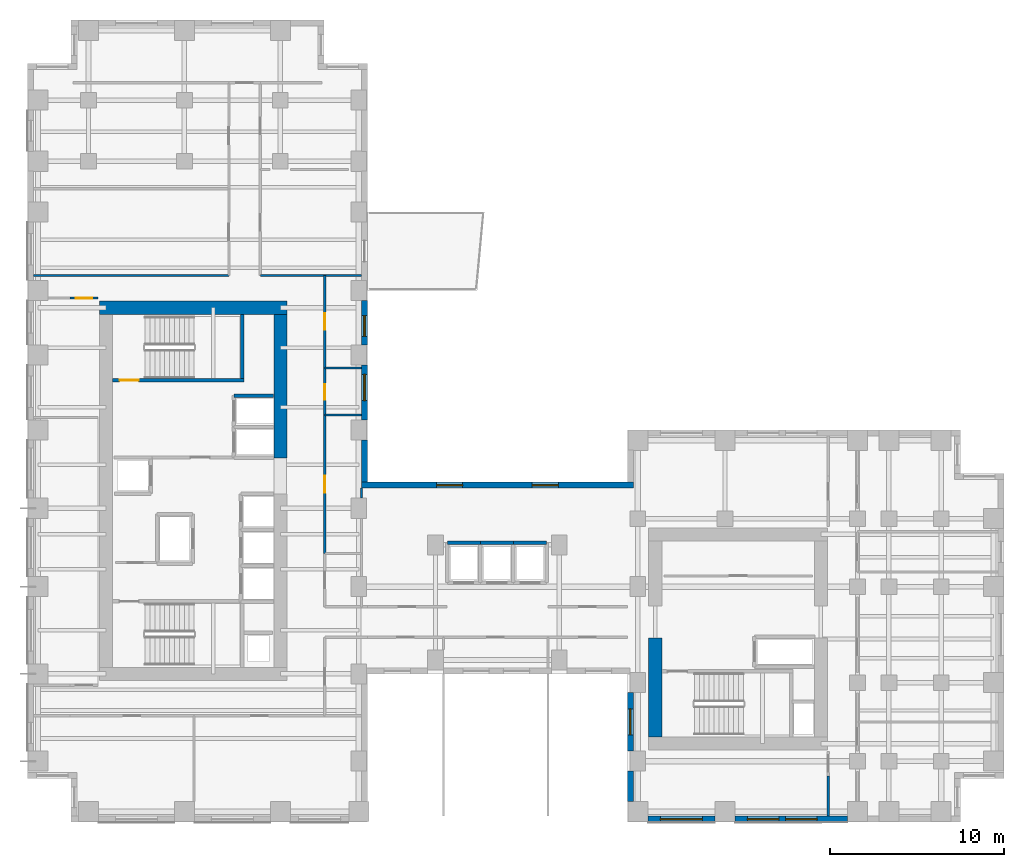
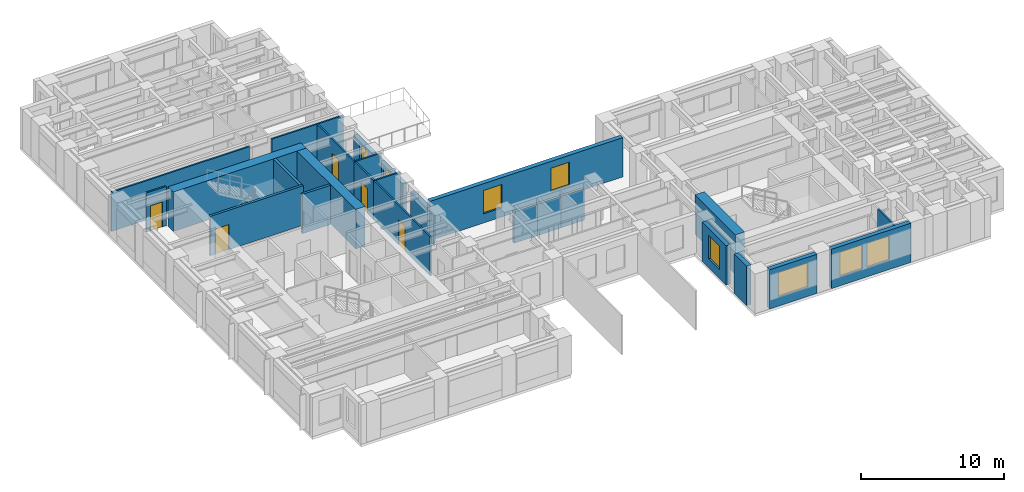
# One storey, part 6 of 11: 27 walls, 8 windows, 5 doors, 13 openings.
"""IFC4 building model written with IfcOpenShell, lengths in metres."""

from ifc_helpers import new_model, si_unit, direction, frame, frame_2d, origin, place, context, subcontext, project, spatial, rectangle, extrude, source, transform, mapped, material, layer, layer_set, type_object, element, fill, save


model = new_model("IFC4")

# Units and contexts
model_context = context("Model", 3, precision=1e-05, world=origin(), true_north=direction((0.0, 1.0)))
body_context = subcontext(model_context, "Body", "Model", "MODEL_VIEW")
ifc_project = project(units=[si_unit("LENGTHUNIT", "METRE"), si_unit("AREAUNIT", "SQUARE_METRE"), si_unit("VOLUMEUNIT", "CUBIC_METRE"), si_unit("PLANEANGLEUNIT", "RADIAN"), si_unit("MASSUNIT", "GRAM", prefix="KILO")], contexts=[model_context])

# Site, building, storey
site_placement = place(None, origin())
site = spatial("IfcSite", under=ifc_project, at=site_placement, CompositionType="ELEMENT")
building_placement = place(site_placement, origin())
building = spatial("IfcBuilding", under=site, at=building_placement, Name="Kharzan Plaza Tower", CompositionType="ELEMENT")
storey_placement = place(building_placement, frame((0.0, 0.0, 113.39990234375)))
storey = spatial("IfcBuildingStorey", under=building, at=storey_placement, Name="L30", CompositionType="ELEMENT", Elevation=113.39990234375)

# Wall, opening, window
ifc_material_1 = material(Name="Concrete C40/50", Category="concrete")
ifc_layer_1 = layer(ifc_material_1, 0.35009765625)
ifc_layer_set_1 = layer_set([ifc_layer_1], Name="Concrete C40/50")
wall_type_1 = type_object("IfcWallType", Name="WL-EXT-MAS-Z2", PredefinedType="SOLIDWALL", material=ifc_layer_set_1)
wall_1_placement = place(storey_placement, frame((19.324951171875, 23.072998046875, 0.0), z_axis=(0.0, 0.0, 1.0), x_axis=(0.0, 1.0, 0.0)))
wall_1 = element("IfcWall", 1, at=wall_1_placement, inside=storey, type_object=wall_type_1, Name="L30 Masonry-Frame Exterior Wall 02", PredefinedType="SOLIDWALL", context=body_context, shape_type="SweptSolid", body=[
    extrude(rectangle(XDim=3.154052734375, YDim=0.35009765625, at=frame_2d((1.5771484375, 0.0))), origin(), (0.0, 0.0, 1.0), 2.51904296875),
])
opening_1_placement = place(wall_1_placement, frame((1.10546875, 0.0, 0.780029296875)))
opening_1 = element("IfcOpeningElement", 2, at=opening_1_placement, cuts=wall_1, Name="Opening W5", PredefinedType="OPENING", context=body_context, shape_type="SweptSolid", body=[
    extrude(rectangle(XDim=1.5, YDim=1.55908203125, at=frame_2d((0.75, 0.779541015625))), frame((0.0, 0.18505859375, 0.0), z_axis=(0.0, -1.0, 0.0), x_axis=(1.0, 0.0, 0.0)), (0.0, 0.0, 1.0), 0.3701171875),
])
ifc_material_2 = material(Name="Low-E Double Glazing", Category="glass")
window_type_1 = type_object("IfcWindowType", Name="WN-SLT-1500x2000", PartitioningType="SINGLE_PANEL", PredefinedType="WINDOW", material=ifc_material_2)
shared_shape_1 = source(origin(), body_context, "Body", "SweptSolid", [
    extrude(rectangle(XDim=1.5, YDim=1.55908203125, at=frame_2d((0.75, 0.779541015625))), frame((0.0, 0.030029296875, 0.0), z_axis=(0.0, -1.0, 0.0), x_axis=(1.0, 0.0, 0.0)), (0.0, 0.0, 1.0), 0.06005859375),
])
window_1_placement = place(opening_1_placement, origin())
window_1 = element("IfcWindow", 3, at=window_1_placement, inside=storey, type_object=window_type_1, Name="L30 Recessed Solar-Control Window 02-1", OverallHeight=1.55908203125, OverallWidth=1.5, PartitioningType="SINGLE_PANEL", PredefinedType="WINDOW", context=body_context, shape_type="MappedRepresentation", body=[
    mapped(shared_shape_1, transform((0.0, 0.0, 0.0), x_axis=(1.0, 0.0, 0.0), y_axis=(0.0, 1.0, 0.0), z_axis=(0.0, 0.0, 1.0))),
])
fill(opening_1, window_1)

wall_2_placement = place(storey_placement, frame((19.324951171875, 27.373046875, 0.0), z_axis=(0.0, 0.0, 1.0), x_axis=(0.0, 1.0, 0.0)))
wall_2 = element("IfcWall", 4, at=wall_2_placement, inside=storey, type_object=wall_type_1, Name="L30 Masonry-Frame Exterior Wall 03", PredefinedType="SOLIDWALL", context=body_context, shape_type="SweptSolid", body=[
    extrude(rectangle(XDim=2.553955078125, YDim=0.35009765625, at=frame_2d((1.27685546875, 0.0))), origin(), (0.0, 0.0, 1.0), 2.51904296875),
])
opening_2_placement = place(wall_2_placement, frame((0.47998046875, 0.0, 0.780029296875)))
opening_2 = element("IfcOpeningElement", 5, at=opening_2_placement, cuts=wall_2, Name="Opening W3", PredefinedType="OPENING", context=body_context, shape_type="SweptSolid", body=[
    extrude(rectangle(XDim=1.199951171875, YDim=1.55908203125, at=frame_2d((0.60009765625, 0.779541015625))), frame((0.0, 0.18505859375, 0.0), z_axis=(0.0, -1.0, 0.0), x_axis=(1.0, 0.0, 0.0)), (0.0, 0.0, 1.0), 0.3701171875),
])
window_type_2 = type_object("IfcWindowType", Name="WN-REC-1200x2100", PartitioningType="SINGLE_PANEL", PredefinedType="WINDOW", material=ifc_material_2)
shared_shape_2 = source(origin(), body_context, "Body", "SweptSolid", [
    extrude(rectangle(XDim=1.199951171875, YDim=1.55908203125, at=frame_2d((0.60009765625, 0.779541015625))), frame((0.0, 0.030029296875, 0.0), z_axis=(0.0, -1.0, 0.0), x_axis=(1.0, 0.0, 0.0)), (0.0, 0.0, 1.0), 0.06005859375),
])
window_2_placement = place(opening_2_placement, origin())
window_2 = element("IfcWindow", 6, at=window_2_placement, inside=storey, type_object=window_type_2, Name="L30 Recessed Solar-Control Window 03-1", OverallHeight=1.55908203125, OverallWidth=1.199951171875, PartitioningType="SINGLE_PANEL", PredefinedType="WINDOW", context=body_context, shape_type="MappedRepresentation", body=[
    mapped(shared_shape_2, transform((0.0, 0.0, 0.0), x_axis=(1.0, 0.0, 0.0), y_axis=(0.0, 1.0, 0.0), z_axis=(0.0, 0.0, 1.0))),
])
fill(opening_2, window_2)

wall_3_placement = place(storey_placement, frame((34.574951171875, 7.427001953125, 0.0), z_axis=(0.0, 0.0, 1.0), x_axis=(0.0, -1.0, 0.0)))
wall_3 = element("IfcWall", 7, at=wall_3_placement, inside=storey, type_object=wall_type_1, Name="L30 Masonry-Frame Exterior Wall 37", PredefinedType="SOLIDWALL", context=body_context, shape_type="SweptSolid", body=[
    extrude(rectangle(XDim=3.35400390625, YDim=0.35009765625, at=frame_2d((1.677001953125, 0.0))), origin(), (0.0, 0.0, 1.0), 3.364990234375),
])
opening_3_placement = place(wall_3_placement, frame((0.927001953125, 0.0, 0.780029296875)))
opening_3 = element("IfcOpeningElement", 8, at=opening_3_placement, cuts=wall_3, Name="Opening W5", PredefinedType="OPENING", context=body_context, shape_type="SweptSolid", body=[
    extrude(rectangle(XDim=1.5, YDim=2.0, at=frame_2d((0.75, 1.0))), frame((0.0, 0.18505859375, 0.0), z_axis=(0.0, -1.0, 0.0), x_axis=(1.0, 0.0, 0.0)), (0.0, 0.0, 1.0), 0.3701171875),
])
shared_shape_3 = source(origin(), body_context, "Body", "SweptSolid", [
    extrude(rectangle(XDim=1.5, YDim=2.0, at=frame_2d((0.75, 1.0))), frame((0.0, 0.030029296875, 0.0), z_axis=(0.0, -1.0, 0.0), x_axis=(1.0, 0.0, 0.0)), (0.0, 0.0, 1.0), 0.06005859375),
])
window_3_placement = place(opening_3_placement, origin())
window_3 = element("IfcWindow", 9, at=window_3_placement, inside=storey, type_object=window_type_1, Name="L30 Recessed Solar-Control Window 37-1", OverallHeight=2.0, OverallWidth=1.5, PartitioningType="SINGLE_PANEL", PredefinedType="WINDOW", context=body_context, shape_type="MappedRepresentation", body=[
    mapped(shared_shape_3, transform((0.0, 0.0, 0.0), x_axis=(1.0, 0.0, 0.0), y_axis=(0.0, 1.0, 0.0), z_axis=(0.0, 0.0, 1.0))),
])
fill(opening_3, window_3)

wall_4_placement = place(storey_placement, frame((35.572998046875, 0.175048828125, 0.0), z_axis=(0.0, 0.0, 1.0), x_axis=(1.0, 0.0, 0.0)))
wall_4 = element("IfcWall", 10, at=wall_4_placement, inside=storey, type_object=wall_type_1, Name="L30 Masonry-Frame Exterior Wall 39", PredefinedType="SOLIDWALL", context=body_context, shape_type="SweptSolid", body=[
    extrude(rectangle(XDim=3.85400390625, YDim=0.35009765625, at=frame_2d((1.927001953125, 0.0))), origin(), (0.0, 0.0, 1.0), 3.364990234375),
])
opening_4_placement = place(wall_4_placement, frame((0.72705078125, 0.0, 0.780029296875)))
opening_4 = element("IfcOpeningElement", 11, at=opening_4_placement, cuts=wall_4, Name="Opening W2", PredefinedType="OPENING", context=body_context, shape_type="SweptSolid", body=[
    extrude(rectangle(XDim=2.39990234375, YDim=2.10009765625, at=frame_2d((1.199951171875, 1.050048828125))), frame((0.0, 0.18505859375, 0.0), z_axis=(0.0, -1.0, 0.0), x_axis=(1.0, 0.0, 0.0)), (0.0, 0.0, 1.0), 0.3701171875),
])
window_type_3 = type_object("IfcWindowType", Name="WN-REC-2400x2100", PartitioningType="SINGLE_PANEL", PredefinedType="WINDOW", material=ifc_material_2)
shared_shape_4 = source(origin(), body_context, "Body", "SweptSolid", [
    extrude(rectangle(XDim=2.39990234375, YDim=2.10009765625, at=frame_2d((1.199951171875, 1.050048828125))), frame((0.0, 0.030029296875, 0.0), z_axis=(0.0, -1.0, 0.0), x_axis=(1.0, 0.0, 0.0)), (0.0, 0.0, 1.0), 0.06005859375),
])
window_4_placement = place(opening_4_placement, origin())
window_4 = element("IfcWindow", 12, at=window_4_placement, inside=storey, type_object=window_type_3, Name="L30 Wide Recessed Solar-Control Window 39-1", OverallHeight=2.10009765625, OverallWidth=2.39990234375, PartitioningType="SINGLE_PANEL", PredefinedType="WINDOW", context=body_context, shape_type="MappedRepresentation", body=[
    mapped(shared_shape_4, transform((0.0, 0.0, 0.0), x_axis=(1.0, 0.0, 0.0), y_axis=(0.0, 1.0, 0.0), z_axis=(0.0, 0.0, 1.0))),
])
fill(opening_4, window_4)

# Wall, openings, windows
wall_5_placement = place(storey_placement, frame((40.572998046875, 0.175048828125, 0.0), z_axis=(0.0, 0.0, 1.0), x_axis=(1.0, 0.0, 0.0)))
wall_5 = element("IfcWall", 13, at=wall_5_placement, inside=storey, type_object=wall_type_1, Name="L30 Masonry-Frame Exterior Wall 40", PredefinedType="SOLIDWALL", context=body_context, shape_type="SweptSolid", body=[
    extrude(rectangle(XDim=6.4541015625, YDim=0.35009765625, at=frame_2d((3.22705078125, 0.0))), origin(), (0.0, 0.0, 1.0), 3.364990234375),
])
opening_5_placement = place(wall_5_placement, frame((0.71240234375, 0.0, 0.780029296875)))
opening_5 = element("IfcOpeningElement", 14, at=opening_5_placement, cuts=wall_5, Name="Opening W1", PredefinedType="OPENING", context=body_context, shape_type="SweptSolid", body=[
    extrude(rectangle(XDim=1.800048828125, YDim=2.10009765625, at=frame_2d((0.89990234375, 1.050048828125))), frame((0.0, 0.18505859375, 0.0), z_axis=(0.0, -1.0, 0.0), x_axis=(1.0, 0.0, 0.0)), (0.0, 0.0, 1.0), 0.3701171875),
])
opening_6_placement = place(wall_5_placement, frame((2.90478515625, 0.0, 0.780029296875)))
opening_6 = element("IfcOpeningElement", 15, at=opening_6_placement, cuts=wall_5, Name="Opening W1", PredefinedType="OPENING", context=body_context, shape_type="SweptSolid", body=[
    extrude(rectangle(XDim=1.800048828125, YDim=2.10009765625, at=frame_2d((0.89990234375, 1.050048828125))), frame((0.0, 0.18505859375, 0.0), z_axis=(0.0, -1.0, 0.0), x_axis=(1.0, 0.0, 0.0)), (0.0, 0.0, 1.0), 0.3701171875),
])
window_type_4 = type_object("IfcWindowType", Name="WN-REC-1800x2100", PartitioningType="SINGLE_PANEL", PredefinedType="WINDOW", material=ifc_material_2)
shared_shape_5 = source(origin(), body_context, "Body", "SweptSolid", [
    extrude(rectangle(XDim=1.800048828125, YDim=2.10009765625, at=frame_2d((0.89990234375, 1.050048828125))), frame((0.0, 0.030029296875, 0.0), z_axis=(0.0, -1.0, 0.0), x_axis=(1.0, 0.0, 0.0)), (0.0, 0.0, 1.0), 0.06005859375),
])
window_5_placement = place(opening_5_placement, origin())
window_5 = element("IfcWindow", 16, at=window_5_placement, inside=storey, type_object=window_type_4, Name="L30 Recessed Solar-Control Window 40-1", OverallHeight=2.10009765625, OverallWidth=1.800048828125, PartitioningType="SINGLE_PANEL", PredefinedType="WINDOW", context=body_context, shape_type="MappedRepresentation", body=[
    mapped(shared_shape_5, transform((0.0, 0.0, 0.0), x_axis=(1.0, 0.0, 0.0), y_axis=(0.0, 1.0, 0.0), z_axis=(0.0, 0.0, 1.0))),
])
fill(opening_5, window_5)
window_6_placement = place(opening_6_placement, origin())
window_6 = element("IfcWindow", 17, at=window_6_placement, inside=storey, type_object=window_type_4, Name="L30 Recessed Solar-Control Window 40-2", OverallHeight=2.10009765625, OverallWidth=1.800048828125, PartitioningType="SINGLE_PANEL", PredefinedType="WINDOW", context=body_context, shape_type="MappedRepresentation", body=[
    mapped(shared_shape_5, transform((0.0, 0.0, 0.0), x_axis=(1.0, 0.0, 0.0), y_axis=(0.0, 1.0, 0.0), z_axis=(0.0, 0.0, 1.0))),
])
fill(opening_6, window_6)

wall_6_placement = place(storey_placement, frame((34.75, 19.324951171875, 0.0), z_axis=(0.0, 0.0, 1.0), x_axis=(-1.0, 0.0, 0.0)))
wall_6 = element("IfcWall", 18, at=wall_6_placement, inside=storey, type_object=wall_type_1, Name="L30 Masonry-Frame Exterior Wall 58", PredefinedType="SOLIDWALL", context=body_context, shape_type="SweptSolid", body=[
    extrude(rectangle(XDim=15.60009765625, YDim=0.35009765625, at=frame_2d((7.800048828125, 0.0))), origin(), (0.0, 0.0, 1.0), 3.364990234375),
])
opening_7_placement = place(wall_6_placement, frame((4.306640625, 0.0, 0.780029296875)))
opening_7 = element("IfcOpeningElement", 19, at=opening_7_placement, cuts=wall_6, Name="Opening W5", PredefinedType="OPENING", context=body_context, shape_type="SweptSolid", body=[
    extrude(rectangle(XDim=1.5, YDim=2.0, at=frame_2d((0.75, 1.0))), frame((0.0, 0.18505859375, 0.0), z_axis=(0.0, -1.0, 0.0), x_axis=(1.0, 0.0, 0.0)), (0.0, 0.0, 1.0), 0.3701171875),
])
opening_8_placement = place(wall_6_placement, frame((9.793212890625, 0.0, 0.780029296875)))
opening_8 = element("IfcOpeningElement", 20, at=opening_8_placement, cuts=wall_6, Name="Opening W5", PredefinedType="OPENING", context=body_context, shape_type="SweptSolid", body=[
    extrude(rectangle(XDim=1.5, YDim=2.0, at=frame_2d((0.75, 1.0))), frame((0.0, 0.18505859375, 0.0), z_axis=(0.0, -1.0, 0.0), x_axis=(1.0, 0.0, 0.0)), (0.0, 0.0, 1.0), 0.3701171875),
])
window_7_placement = place(opening_7_placement, origin())
window_7 = element("IfcWindow", 21, at=window_7_placement, inside=storey, type_object=window_type_1, Name="L30 Recessed Solar-Control Window 58-1", OverallHeight=2.0, OverallWidth=1.5, PartitioningType="SINGLE_PANEL", PredefinedType="WINDOW", context=body_context, shape_type="MappedRepresentation", body=[
    mapped(shared_shape_3, transform((0.0, 0.0, 0.0), x_axis=(1.0, 0.0, 0.0), y_axis=(0.0, 1.0, 0.0), z_axis=(0.0, 0.0, 1.0))),
])
fill(opening_7, window_7)
window_8_placement = place(opening_8_placement, origin())
window_8 = element("IfcWindow", 22, at=window_8_placement, inside=storey, type_object=window_type_1, Name="L30 Recessed Solar-Control Window 58-2", OverallHeight=2.0, OverallWidth=1.5, PartitioningType="SINGLE_PANEL", PredefinedType="WINDOW", context=body_context, shape_type="MappedRepresentation", body=[
    mapped(shared_shape_3, transform((0.0, 0.0, 0.0), x_axis=(1.0, 0.0, 0.0), y_axis=(0.0, 1.0, 0.0), z_axis=(0.0, 0.0, 1.0))),
])
fill(opening_8, window_8)

# Wall, opening, door
ifc_material_3 = material(Name="Fire-Rated Gypsum Board Partition", Category="gypsum")
ifc_layer_2 = layer(ifc_material_3, 0.125)
ifc_layer_set_2 = layer_set([ifc_layer_2], Name="Fire-Rated Gypsum Board Partition")
wall_type_2 = type_object("IfcWallType", Name="WL-INT-PART-125", PredefinedType="PARTITIONING", material=ifc_layer_set_2)
wall_7_placement = place(storey_placement, frame((17.050048828125, 15.39990234375, 0.0), z_axis=(0.0, 0.0, 1.0), x_axis=(0.0, 1.0, 0.0)))
wall_7 = element("IfcWall", 23, at=wall_7_placement, inside=storey, type_object=wall_type_2, Name="L30 Interior Partition SH-AEWN2", PredefinedType="PARTITIONING", context=body_context, shape_type="SweptSolid", body=[
    extrude(rectangle(XDim=7.9501953125, YDim=0.125, at=frame_2d((3.97509765625, 0.0))), origin(), (0.0, 0.0, 1.0), 3.364990234375),
])
opening_9_placement = place(wall_7_placement, frame((3.5, 0.0, 0.0)))
opening_9 = element("IfcOpeningElement", 24, at=opening_9_placement, cuts=wall_7, Name="Opening OD1", PredefinedType="OPENING", context=body_context, shape_type="SweptSolid", body=[
    extrude(rectangle(XDim=0.949951171875, YDim=2.14990234375, at=frame_2d((0.47509765625, 1.074951171875))), frame((0.0, 0.072509765625, 0.0), z_axis=(0.0, -1.0, 0.0), x_axis=(1.0, 0.0, 0.0)), (0.0, 0.0, 1.0), 0.14501953125),
])
ifc_material_4 = material(Name="Acoustic Solid-Core Stained Oak", Category="timber")
door_type_1 = type_object("IfcDoorType", Name="DR-OFF-SINGLE", OperationType="NOTDEFINED", PredefinedType="DOOR", material=ifc_material_4)
shared_shape_6 = source(origin(), body_context, "Body", "SweptSolid", [
    extrude(rectangle(XDim=0.949951171875, YDim=2.14990234375, at=frame_2d((0.47509765625, 1.074951171875))), frame((0.0, 0.02490234375, 0.0), z_axis=(0.0, -1.0, 0.0), x_axis=(1.0, 0.0, 0.0)), (0.0, 0.0, 1.0), 0.050048828125),
])
door_1_placement = place(opening_9_placement, origin())
door_1 = element("IfcDoor", 25, at=door_1_placement, inside=storey, type_object=door_type_1, Name="L30 Slot Studio Door", OperationType="SINGLE_SWING_RIGHT", OverallHeight=2.14990234375, OverallWidth=0.949951171875, PredefinedType="DOOR", context=body_context, shape_type="MappedRepresentation", body=[
    mapped(shared_shape_6, transform((0.0, 0.0, 0.0), x_axis=(1.0, 0.0, 0.0), y_axis=(0.0, 1.0, 0.0), z_axis=(0.0, 0.0, 1.0))),
])
fill(opening_9, door_1)

wall_8_placement = place(storey_placement, frame((17.050048828125, 26.050048828125, 0.0), z_axis=(0.0, 0.0, 1.0), x_axis=(0.0, 1.0, 0.0)))
wall_8 = element("IfcWall", 26, at=wall_8_placement, inside=storey, type_object=wall_type_2, Name="L30 Interior Partition SH-AEWN3", PredefinedType="PARTITIONING", context=body_context, shape_type="SweptSolid", body=[
    extrude(rectangle(XDim=5.300048828125, YDim=0.125, at=frame_2d((2.64990234375, 0.0))), origin(), (0.0, 0.0, 1.0), 3.364990234375),
])
opening_10_placement = place(wall_8_placement, frame((2.175048828125, 0.0, 0.0)))
opening_10 = element("IfcOpeningElement", 27, at=opening_10_placement, cuts=wall_8, Name="Opening OD1", PredefinedType="OPENING", context=body_context, shape_type="SweptSolid", body=[
    extrude(rectangle(XDim=0.949951171875, YDim=2.14990234375, at=frame_2d((0.47509765625, 1.074951171875))), frame((0.0, 0.072509765625, 0.0), z_axis=(0.0, -1.0, 0.0), x_axis=(1.0, 0.0, 0.0)), (0.0, 0.0, 1.0), 0.14501953125),
])
door_2_placement = place(opening_10_placement, origin())
door_2 = element("IfcDoor", 28, at=door_2_placement, inside=storey, type_object=door_type_1, Name="L30 Staff Tea Point Door", OperationType="SINGLE_SWING_RIGHT", OverallHeight=2.14990234375, OverallWidth=0.949951171875, PredefinedType="DOOR", context=body_context, shape_type="MappedRepresentation", body=[
    mapped(shared_shape_6, transform((0.0, 0.0, 0.0), x_axis=(1.0, 0.0, 0.0), y_axis=(0.0, 1.0, 0.0), z_axis=(0.0, 0.0, 1.0))),
])
fill(opening_10, door_2)

wall_9_placement = place(storey_placement, frame((17.050048828125, 23.35009765625, 0.0), z_axis=(0.0, 0.0, 1.0), x_axis=(0.0, 1.0, 0.0)))
wall_9 = element("IfcWall", 29, at=wall_9_placement, inside=storey, type_object=wall_type_2, Name="L30 Interior Partition SH-AEWW", PredefinedType="PARTITIONING", context=body_context, shape_type="SweptSolid", body=[
    extrude(rectangle(XDim=2.699951171875, YDim=0.125, at=frame_2d((1.35009765625, 0.0))), origin(), (0.0, 0.0, 1.0), 3.364990234375),
])
opening_11_placement = place(wall_9_placement, frame((0.875, 0.0, 0.0)))
opening_11 = element("IfcOpeningElement", 30, at=opening_11_placement, cuts=wall_9, Name="Opening WD1", PredefinedType="OPENING", context=body_context, shape_type="SweptSolid", body=[
    extrude(rectangle(XDim=0.89990234375, YDim=2.14990234375, at=frame_2d((0.449951171875, 1.074951171875))), frame((0.0, 0.072509765625, 0.0), z_axis=(0.0, -1.0, 0.0), x_axis=(1.0, 0.0, 0.0)), (0.0, 0.0, 1.0), 0.14501953125),
])
ifc_material_5 = material(Name="Moisture-Resistant Fire-Rated Laminate", Category="timber")
door_type_2 = type_object("IfcDoorType", Name="DR-WC-900", OperationType="NOTDEFINED", PredefinedType="DOOR", material=ifc_material_5)
shared_shape_7 = source(origin(), body_context, "Body", "SweptSolid", [
    extrude(rectangle(XDim=0.89990234375, YDim=2.14990234375, at=frame_2d((0.449951171875, 1.074951171875))), frame((0.0, 0.02490234375, 0.0), z_axis=(0.0, -1.0, 0.0), x_axis=(1.0, 0.0, 0.0)), (0.0, 0.0, 1.0), 0.050048828125),
])
door_3_placement = place(opening_11_placement, origin())
door_3 = element("IfcDoor", 31, at=door_3_placement, inside=storey, type_object=door_type_2, Name="L30 Wing A Washroom Door", OperationType="SINGLE_SWING_LEFT", OverallHeight=2.14990234375, OverallWidth=0.89990234375, PredefinedType="DOOR", context=body_context, shape_type="MappedRepresentation", body=[
    mapped(shared_shape_7, transform((0.0, 0.0, 0.0), x_axis=(1.0, 0.0, 0.0), y_axis=(0.0, 1.0, 0.0), z_axis=(0.0, 0.0, 1.0))),
])
fill(opening_11, door_3)

wall_10_placement = place(storey_placement, frame((2.449951171875, 30.050048828125, 0.0), z_axis=(0.0, 0.0, 1.0), x_axis=(1.0, 0.0, 0.0)))
wall_10 = element("IfcWall", 32, at=wall_10_placement, inside=storey, type_object=wall_type_2, Name="L30 Interior Partition SH-RWND", PredefinedType="PARTITIONING", context=body_context, shape_type="SweptSolid", body=[
    extrude(rectangle(XDim=1.60009765625, YDim=0.125, at=frame_2d((0.800048828125, 0.0))), origin(), (0.0, 0.0, 1.0), 3.364990234375),
])
opening_12_placement = place(wall_10_placement, frame((0.324951171875, 0.0, 0.0)))
opening_12 = element("IfcOpeningElement", 33, at=opening_12_placement, cuts=wall_10, Name="Opening OD1", PredefinedType="OPENING", context=body_context, shape_type="SweptSolid", body=[
    extrude(rectangle(XDim=0.949951171875, YDim=2.14990234375, at=frame_2d((0.47509765625, 1.074951171875))), frame((0.0, 0.072509765625, 0.0), z_axis=(0.0, -1.0, 0.0), x_axis=(1.0, 0.0, 0.0)), (0.0, 0.0, 1.0), 0.14501953125),
])
door_4_placement = place(opening_12_placement, origin())
door_4 = element("IfcDoor", 34, at=door_4_placement, inside=storey, type_object=door_type_1, Name="L30 West Office 2 Door", OperationType="SINGLE_SWING_RIGHT", OverallHeight=2.14990234375, OverallWidth=0.949951171875, PredefinedType="DOOR", context=body_context, shape_type="MappedRepresentation", body=[
    mapped(shared_shape_6, transform((0.0, 0.0, 0.0), x_axis=(1.0, 0.0, 0.0), y_axis=(0.0, 1.0, 0.0), z_axis=(0.0, 0.0, 1.0))),
])
fill(opening_12, door_4)

ifc_material_6 = material(Name="Concrete C50/60", Category="concrete")
ifc_layer_3 = layer(ifc_material_6, 0.199951171875)
ifc_layer_set_3 = layer_set([ifc_layer_3], Name="Concrete C50/60")
wall_type_3 = type_object("IfcWallType", Name="WL-SHAFT-RC200", PredefinedType="SHEAR", material=ifc_layer_set_3)
wall_11_placement = place(storey_placement, frame((4.876953125, 25.344970703125, 0.0), z_axis=(0.0, 0.0, 1.0), x_axis=(1.0, 0.0, 0.0)))
wall_11 = element("IfcWall", 35, at=wall_11_placement, inside=storey, type_object=wall_type_3, Name="L30 Stair ST-2 South RC Shaft Wall", PredefinedType="SHEAR", context=body_context, shape_type="SweptSolid", body=[
    extrude(rectangle(XDim=7.528076171875, YDim=0.199951171875, at=frame_2d((3.76416015625, 0.0))), origin(), (0.0, 0.0, 1.0), 3.380126953125),
])
opening_13_placement = place(wall_11_placement, frame((0.39990234375, 0.0, 0.0)))
opening_13 = element("IfcOpeningElement", 36, at=opening_13_placement, cuts=wall_11, Name="Opening SD1", PredefinedType="OPENING", context=body_context, shape_type="SweptSolid", body=[
    extrude(rectangle(XDim=1.10009765625, YDim=2.14990234375, at=frame_2d((0.550048828125, 1.074951171875))), frame((0.0, 0.10986328125, 0.0), z_axis=(0.0, -1.0, 0.0), x_axis=(1.0, 0.0, 0.0)), (0.0, 0.0, 1.0), 0.219970703125),
])
ifc_material_7 = material(Name="Fire-Rated Hollow Galvanized Steel", Category="steel")
door_type_3 = type_object("IfcDoorType", Name="DR-STAIR-FD120", OperationType="NOTDEFINED", PredefinedType="DOOR", material=ifc_material_7)
shared_shape_8 = source(origin(), body_context, "Body", "SweptSolid", [
    extrude(rectangle(XDim=1.10009765625, YDim=2.14990234375, at=frame_2d((0.550048828125, 1.074951171875))), frame((0.0, 0.02490234375, 0.0), z_axis=(0.0, -1.0, 0.0), x_axis=(1.0, 0.0, 0.0)), (0.0, 0.0, 1.0), 0.050048828125),
])
door_5_placement = place(opening_13_placement, origin())
door_5 = element("IfcDoor", 37, at=door_5_placement, inside=storey, type_object=door_type_3, Name="L30 Stair ST-2 Fire Exit Door", OperationType="SINGLE_SWING_RIGHT", OverallHeight=2.14990234375, OverallWidth=1.10009765625, PredefinedType="DOOR", context=body_context, shape_type="MappedRepresentation", body=[
    mapped(shared_shape_8, transform((0.0, 0.0, 0.0), x_axis=(1.0, 0.0, 0.0), y_axis=(0.0, 1.0, 0.0), z_axis=(0.0, 0.0, 1.0))),
])
fill(opening_13, door_5)

# Walls
shared_shape_9 = source(origin(), body_context, "Body", "SweptSolid", [
    extrude(rectangle(XDim=2.2978515625, YDim=0.125, at=frame_2d((1.14892578125, 0.0))), origin(), (0.0, 0.0, 1.0), 3.364990234375),
])
wall_12_placement = place(storey_placement, frame((45.919921875, 0.35205078125, 0.0), z_axis=(0.0, 0.0, 1.0), x_axis=(0.0, 1.0, 0.0)))
element("IfcWall", 38, at=wall_12_placement, inside=storey, type_object=wall_type_2, Name="L30 Interior Partition SH-RBSE0", PredefinedType="PARTITIONING", context=body_context, shape_type="MappedRepresentation", body=[
    mapped(shared_shape_9, transform((0.0, 0.0, 0.0), x_axis=(1.0, 0.0, 0.0), y_axis=(0.0, 1.0, 0.0), z_axis=(0.0, 0.0, 1.0))),
])
shared_shape_10 = source(origin(), body_context, "Body", "SweptSolid", [
    extrude(rectangle(XDim=2.097900390625, YDim=0.125, at=frame_2d((1.048828125, 0.0))), origin(), (0.0, 0.0, 1.0), 3.364990234375),
])
for number, where, z_axis, x_axis, name in (
    (39, (17.050048828125, 23.35009765625, 0.0), (0.0, 0.0, 1.0), (1.0, 0.0, 0.0), "L30 Interior Partition SH-AEH-233"),
    (40, (17.050048828125, 26.050048828125, 0.0), (0.0, 0.0, 1.0), (1.0, 0.0, 0.0), "L30 Interior Partition SH-AEH-260"),
):
    element("IfcWall", number, at=place(storey_placement, frame(where, z_axis=z_axis, x_axis=x_axis)), inside=storey, type_object=wall_type_2, Name=name, PredefinedType="PARTITIONING", context=body_context, shape_type="MappedRepresentation", body=[
        mapped(shared_shape_10, transform((0.0, 0.0, 0.0), x_axis=(1.0, 0.0, 0.0), y_axis=(0.0, 1.0, 0.0), z_axis=(0.0, 0.0, 1.0))),
    ])
shared_shape_11 = source(origin(), body_context, "Body", "SweptSolid", [
    extrude(rectangle(XDim=5.7978515625, YDim=0.125, at=frame_2d((2.89892578125, 0.0))), origin(), (0.0, 0.0, 1.0), 3.364990234375),
])
wall_13_placement = place(storey_placement, frame((13.35009765625, 31.35009765625, 0.0), z_axis=(0.0, 0.0, 1.0), x_axis=(1.0, 0.0, 0.0)))
element("IfcWall", 41, at=wall_13_placement, inside=storey, type_object=wall_type_2, Name="L30 Interior Partition SH-NNE", PredefinedType="PARTITIONING", context=body_context, shape_type="MappedRepresentation", body=[
    mapped(shared_shape_11, transform((0.0, 0.0, 0.0), x_axis=(1.0, 0.0, 0.0), y_axis=(0.0, 1.0, 0.0), z_axis=(0.0, 0.0, 1.0))),
])
shared_shape_12 = source(origin(), body_context, "Body", "SweptSolid", [
    extrude(rectangle(XDim=11.197998046875, YDim=0.125, at=frame_2d((5.59912109375, 0.0))), origin(), (0.0, 0.0, 1.0), 3.364990234375),
])
wall_14_placement = place(storey_placement, frame((0.35205078125, 31.35009765625, 0.0), z_axis=(0.0, 0.0, 1.0), x_axis=(1.0, 0.0, 0.0)))
element("IfcWall", 42, at=wall_14_placement, inside=storey, type_object=wall_type_2, Name="L30 Interior Partition SH-NNW", PredefinedType="PARTITIONING", context=body_context, shape_type="MappedRepresentation", body=[
    mapped(shared_shape_12, transform((0.0, 0.0, 0.0), x_axis=(1.0, 0.0, 0.0), y_axis=(0.0, 1.0, 0.0), z_axis=(0.0, 0.0, 1.0))),
])
ifc_material_8 = material(Name="Concrete C60/75", Category="concrete")
ifc_layer_4 = layer(ifc_material_8, 0.75)
ifc_layer_set_4 = layer_set([ifc_layer_4], Name="Concrete C60/75")
wall_type_4 = type_object("IfcWallType", Name="WL-CORE-750", PredefinedType="SHEAR", material=ifc_layer_set_4)
shared_shape_13 = source(origin(), body_context, "Body", "SweptSolid", [
    extrude(rectangle(XDim=8.2451171875, YDim=0.75, at=frame_2d((4.12255859375, 0.0))), origin(), (0.0, 0.0, 1.0), 3.380126953125),
])
wall_15_placement = place(storey_placement, frame((14.5, 20.8798828125, 0.0), z_axis=(0.0, 0.0, 1.0), x_axis=(0.0, 1.0, 0.0)))
element("IfcWall", 43, at=wall_15_placement, inside=storey, type_object=wall_type_4, Name="L30 CORE-A east shear pier 2", PredefinedType="SHEAR", context=body_context, shape_type="MappedRepresentation", body=[
    mapped(shared_shape_13, transform((0.0, 0.0, 0.0), x_axis=(1.0, 0.0, 0.0), y_axis=(0.0, 1.0, 0.0), z_axis=(0.0, 0.0, 1.0))),
])
shared_shape_14 = source(origin(), body_context, "Body", "SweptSolid", [
    extrude(rectangle(XDim=10.75, YDim=0.75, at=frame_2d((5.375, 0.0))), origin(), (0.0, 0.0, 1.0), 3.380126953125),
])
wall_16_placement = place(storey_placement, frame((4.125, 29.5, 0.0), z_axis=(0.0, 0.0, 1.0), x_axis=(1.0, 0.0, 0.0)))
element("IfcWall", 44, at=wall_16_placement, inside=storey, type_object=wall_type_4, Name="L30 CORE-A north RC shear wall", PredefinedType="SHEAR", context=body_context, shape_type="MappedRepresentation", body=[
    mapped(shared_shape_14, transform((0.0, 0.0, 0.0), x_axis=(1.0, 0.0, 0.0), y_axis=(0.0, 1.0, 0.0), z_axis=(0.0, 0.0, 1.0))),
])
shared_shape_15 = source(origin(), body_context, "Body", "SweptSolid", [
    extrude(rectangle(XDim=5.675048828125, YDim=0.75, at=frame_2d((2.83740234375, 0.0))), origin(), (0.0, 0.0, 1.0), 3.380126953125),
])
wall_17_placement = place(storey_placement, frame((36.0, 4.875, 0.0), z_axis=(0.0, 0.0, 1.0), x_axis=(0.0, 1.0, 0.0)))
element("IfcWall", 45, at=wall_17_placement, inside=storey, type_object=wall_type_4, Name="L30 CORE-B west shear pier 1", PredefinedType="SHEAR", context=body_context, shape_type="MappedRepresentation", body=[
    mapped(shared_shape_15, transform((0.0, 0.0, 0.0), x_axis=(1.0, 0.0, 0.0), y_axis=(0.0, 1.0, 0.0), z_axis=(0.0, 0.0, 1.0))),
])
shared_shape_16 = source(origin(), body_context, "Body", "SweptSolid", [
    extrude(rectangle(XDim=1.75390625, YDim=0.35009765625, at=frame_2d((0.876953125, 0.0))), origin(), (0.0, 0.0, 1.0), 3.364990234375),
])
wall_18_placement = place(storey_placement, frame((34.574951171875, 2.927001953125, 0.0), z_axis=(0.0, 0.0, 1.0), x_axis=(0.0, -1.0, 0.0)))
element("IfcWall", 46, at=wall_18_placement, inside=storey, type_object=wall_type_1, Name="L30 Masonry-Frame Exterior Wall 38", PredefinedType="SOLIDWALL", context=body_context, shape_type="MappedRepresentation", body=[
    mapped(shared_shape_16, transform((0.0, 0.0, 0.0), x_axis=(1.0, 0.0, 0.0), y_axis=(0.0, 1.0, 0.0), z_axis=(0.0, 0.0, 1.0))),
])
ifc_layer_5 = layer(ifc_material_1, 0.199951171875)
ifc_layer_set_5 = layer_set([ifc_layer_5], Name="Concrete C40/50")
wall_type_5 = type_object("IfcWallType", Name="WL-INT-SHAFT-200", PredefinedType="PARTITIONING", material=ifc_layer_set_5)
shared_shape_17 = source(origin(), body_context, "Body", "SweptSolid", [
    extrude(rectangle(XDim=2.264892578125, YDim=0.199951171875, at=frame_2d((1.13232421875, 0.0))), origin(), (0.0, 0.0, 1.0), 3.364990234375),
])
wall_19_placement = place(storey_placement, frame((11.830078125, 24.4599609375, 0.0), z_axis=(0.0, 0.0, 1.0), x_axis=(1.0, 0.0, 0.0)))
element("IfcWall", 47, at=wall_19_placement, inside=storey, type_object=wall_type_5, Name="L30 Interior Partition SHF-FFL-2-N", PredefinedType="PARTITIONING", context=body_context, shape_type="MappedRepresentation", body=[
    mapped(shared_shape_17, transform((0.0, 0.0, 0.0), x_axis=(1.0, 0.0, 0.0), y_axis=(0.0, 1.0, 0.0), z_axis=(0.0, 0.0, 1.0))),
])
shared_shape_18 = source(origin(), body_context, "Body", "SweptSolid", [
    extrude(rectangle(XDim=1.889892578125, YDim=0.199951171875, at=frame_2d((0.94482421875, 0.0))), origin(), (0.0, 0.0, 1.0), 2.677001953125),
])
wall_20_placement = place(storey_placement, frame((24.080078125, 16.02001953125, 0.0), z_axis=(0.0, 0.0, 1.0), x_axis=(1.0, 0.0, 0.0)))
element("IfcWall", 48, at=wall_20_placement, inside=storey, type_object=wall_type_5, Name="L30 Interior Partition SHF-PL-M1-N", PredefinedType="PARTITIONING", context=body_context, shape_type="MappedRepresentation", body=[
    mapped(shared_shape_18, transform((0.0, 0.0, 0.0), x_axis=(1.0, 0.0, 0.0), y_axis=(0.0, 1.0, 0.0), z_axis=(0.0, 0.0, 1.0))),
])
shared_shape_19 = source(origin(), body_context, "Body", "SweptSolid", [
    extrude(rectangle(XDim=1.89013671875, YDim=0.199951171875, at=frame_2d((0.945068359375, 0.0))), origin(), (0.0, 0.0, 1.0), 2.677001953125),
])
for number, where, z_axis, x_axis, name in (
    (49, (25.97998046875, 16.02001953125, 0.0), (0.0, 0.0, 1.0), (1.0, 0.0, 0.0), "L30 Interior Partition SHF-PL-M2-N"),
    (50, (27.8798828125, 16.02001953125, 0.0), (0.0, 0.0, 1.0), (1.0, 0.0, 0.0), "L30 Interior Partition SHF-PL-M3-N"),
):
    element("IfcWall", number, at=place(storey_placement, frame(where, z_axis=z_axis, x_axis=x_axis)), inside=storey, type_object=wall_type_5, Name=name, PredefinedType="PARTITIONING", context=body_context, shape_type="MappedRepresentation", body=[
        mapped(shared_shape_19, transform((0.0, 0.0, 0.0), x_axis=(1.0, 0.0, 0.0), y_axis=(0.0, 1.0, 0.0), z_axis=(0.0, 0.0, 1.0))),
    ])
shared_shape_20 = source(origin(), body_context, "Body", "SweptSolid", [
    extrude(rectangle(XDim=3.677978515625, YDim=0.199951171875, at=frame_2d((1.8388671875, 0.0))), origin(), (0.0, 0.0, 1.0), 3.380126953125),
])
wall_21_placement = place(storey_placement, frame((12.304931640625, 25.445068359375, 0.0), z_axis=(0.0, 0.0, 1.0), x_axis=(0.0, 1.0, 0.0)))
element("IfcWall", 51, at=wall_21_placement, inside=storey, type_object=wall_type_3, Name="L30 Stair ST-2 East RC Shaft Wall", PredefinedType="SHEAR", context=body_context, shape_type="MappedRepresentation", body=[
    mapped(shared_shape_20, transform((0.0, 0.0, 0.0), x_axis=(1.0, 0.0, 0.0), y_axis=(0.0, 1.0, 0.0), z_axis=(0.0, 0.0, 1.0))),
])
shared_shape_21 = source(origin(), body_context, "Body", "SweptSolid", [
    extrude(rectangle(XDim=2.428955078125, YDim=0.35009765625, at=frame_2d((1.21435546875, 0.0))), origin(), (0.0, 0.0, 1.0), 2.51904296875),
])
wall_22_placement = place(storey_placement, frame((19.324951171875, 19.498046875, 0.0), z_axis=(0.0, 0.0, 1.0), x_axis=(0.0, 1.0, 0.0)))
element("IfcWall", 52, at=wall_22_placement, inside=storey, type_object=wall_type_1, Name="L30 Masonry-Frame Exterior Wall 01", PredefinedType="SOLIDWALL", context=body_context, shape_type="MappedRepresentation", body=[
    mapped(shared_shape_21, transform((0.0, 0.0, 0.0), x_axis=(1.0, 0.0, 0.0), y_axis=(0.0, 1.0, 0.0), z_axis=(0.0, 0.0, 1.0))),
])
shared_shape_22 = source(origin(), body_context, "Body", "SweptSolid", [
    extrude(rectangle(XDim=0.557861328125, YDim=0.125, at=frame_2d((0.27880859375, 0.0))), origin(), (0.0, 0.0, 1.0), 2.51904296875),
])
wall_23_placement = place(storey_placement, frame((19.14990234375, 18.590087890625, 0.0), z_axis=(0.0, 0.0, 1.0), x_axis=(0.0, 1.0, 0.0)))
element("IfcWall", 53, at=wall_23_placement, inside=storey, type_object=wall_type_2, Name="L30 Interior Partition SH-AEN-DIV-S3", PredefinedType="PARTITIONING", context=body_context, shape_type="MappedRepresentation", body=[
    mapped(shared_shape_22, transform((0.0, 0.0, 0.0), x_axis=(1.0, 0.0, 0.0), y_axis=(0.0, 1.0, 0.0), z_axis=(0.0, 0.0, 1.0))),
])

save(model, "model.ifc")
